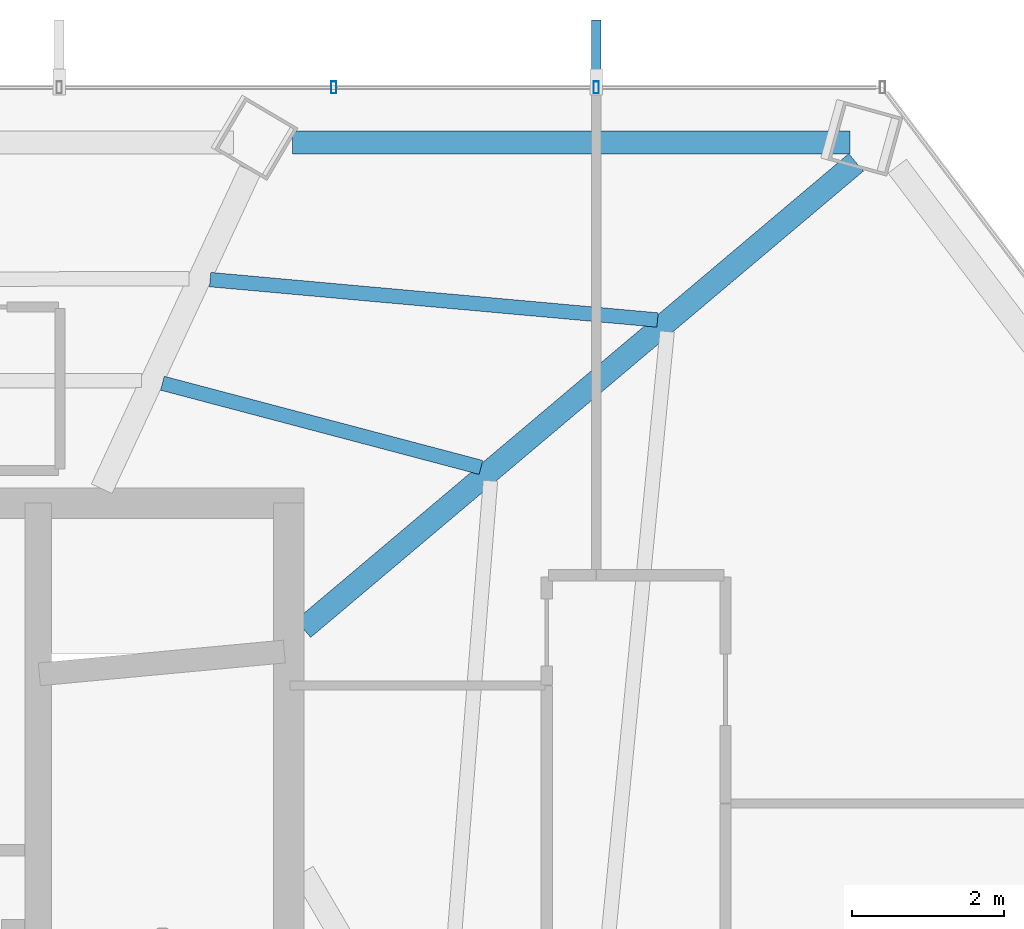
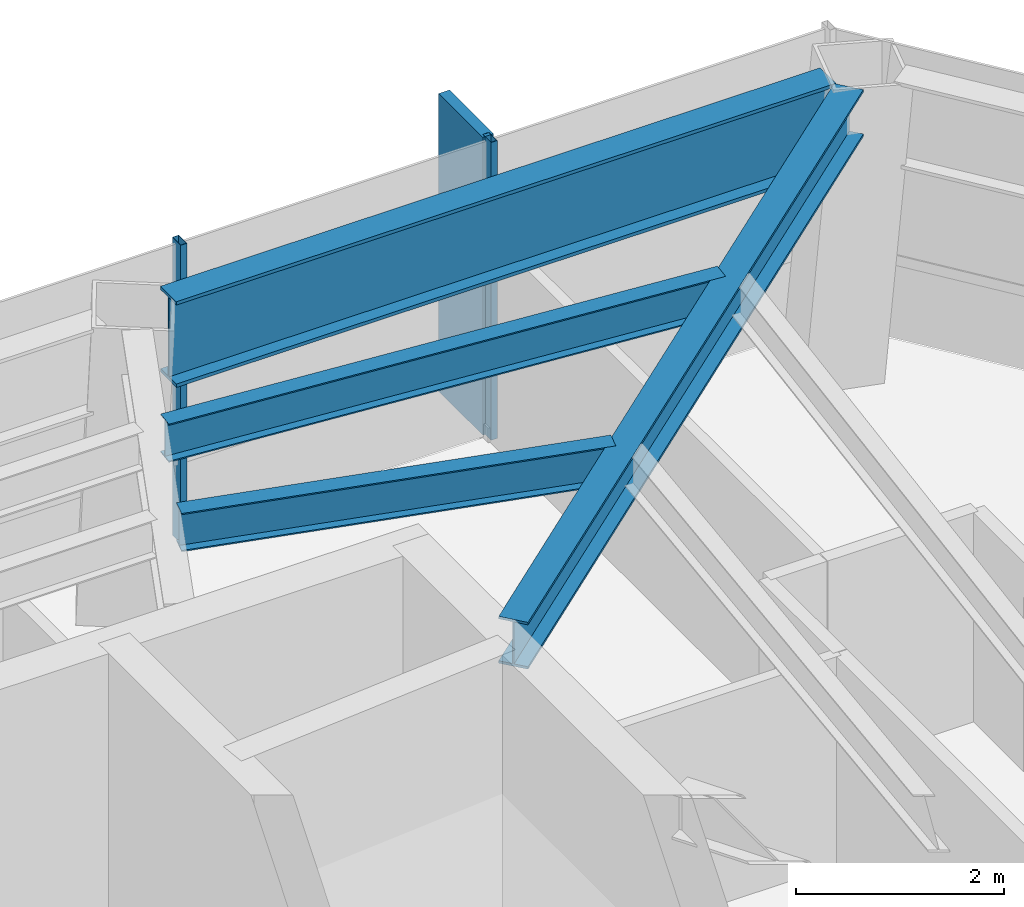
# One storey, part 24 of 30: 4 beams, 3 members, 1 element without a shape of its own.
"""IFC4 building model written with IfcOpenShell, lengths in metres."""

import ifcopenshell
import ifcopenshell.guid

model = None  # the IFC model being written
_history = None  # IfcOwnerHistory: only IFC2X3 demands one
_inside = {}  # id of a spatial element -> (the spatial element, [elements in it])
_under = {}  # id of a project, library or spatial element -> (it, [spatial elements below it])
_declared = {}  # id of a project -> (the project, [libraries it declares])
_typed = {}  # id of a type object -> (the type object, [elements of that type])
_made_of = {}  # id of a material, layer set ... -> (it, [elements and type objects made of it])


def new_model(schema):
    """Start an empty IFC model of exactly this schema.

    Asked for "IFC4X3", IfcOpenShell would pick the latest addendum, in which some entities
    have other attributes; the version numbers below select the first issue.
    IFC2X3 requires an IfcOwnerHistory on every rooted entity: one is made here for all.
    """
    global model, _history
    if schema == "IFC4X3":
        model = ifcopenshell.file(schema_version=(4, 3, 0, 0))
    else:
        model = ifcopenshell.file(schema=schema)
    _inside.clear()
    _under.clear()
    _declared.clear()
    _typed.clear()
    _made_of.clear()
    _history = None
    if model.schema == "IFC2X3":
        org = make("IfcOrganization", Name="unknown")
        user = make(
            "IfcPersonAndOrganization",
            ThePerson=make("IfcPerson", FamilyName="unknown"),
            TheOrganization=org,
        )
        app = make(
            "IfcApplication",
            ApplicationDeveloper=org,
            Version="unknown",
            ApplicationFullName="unknown",
            ApplicationIdentifier="unknown",
        )
        _history = make(
            "IfcOwnerHistory",
            OwningUser=user,
            OwningApplication=app,
            ChangeAction="ADDED",
            CreationDate=0,
        )
    return model


def make(cls, **values):
    """One entity of the class cls with the attributes given. An attribute that is None is left unset."""
    return model.create_entity(
        cls, **{name: value for name, value in values.items() if value is not None}
    )


def rooted(cls, **values):
    """An entity with a GlobalId (a new one), such as an element, a storey or a relation."""
    return make(cls, GlobalId=ifcopenshell.guid.new(), OwnerHistory=_history, **values)


def si_unit(unit_type, name, prefix=None):
    """IfcSIUnit, for example si_unit("LENGTHUNIT", "METRE", prefix="MILLI")."""
    return make("IfcSIUnit", UnitType=unit_type, Prefix=prefix, Name=name)


def assignment(units):
    """IfcUnitAssignment: the units of a project."""
    return None if units is None else make("IfcUnitAssignment", Units=units)


def point(xyz):
    """IfcCartesianPoint."""
    return None if xyz is None else make("IfcCartesianPoint", Coordinates=xyz)


def direction(xyz):
    """IfcDirection."""
    return None if xyz is None else make("IfcDirection", DirectionRatios=xyz)


def frame(location, z_axis=None, x_axis=None):
    """IfcAxis2Placement3D, a coordinate frame: its origin and axes. An axis left out is left unset."""
    return make(
        "IfcAxis2Placement3D",
        Location=point(location),
        Axis=direction(z_axis),
        RefDirection=direction(x_axis),
    )


def frame_2d(location, x_axis=None):
    """IfcAxis2Placement2D, a coordinate frame in the plane: its origin and x axis."""
    return make(
        "IfcAxis2Placement2D", Location=point(location), RefDirection=direction(x_axis)
    )


def origin():
    """The frame at (0, 0, 0) with its axes left unset."""
    return frame((0.0, 0.0, 0.0))


def origin_2d():
    """The frame at (0, 0) in the plane with its x axis left unset."""
    return frame_2d((0.0, 0.0))


def place(relative_to, where):
    """IfcLocalPlacement: puts the frame where relative to a parent placement (None: the world)."""
    return make(
        "IfcLocalPlacement", PlacementRelTo=relative_to, RelativePlacement=where
    )


def context(
    kind, dimensions, precision=None, world=None, true_north=None, identifier=None
):
    """IfcGeometricRepresentationContext, for example the 3D "Model" context."""
    return make(
        "IfcGeometricRepresentationContext",
        ContextIdentifier=identifier,
        ContextType=kind,
        CoordinateSpaceDimension=dimensions,
        Precision=precision,
        WorldCoordinateSystem=world,
        TrueNorth=true_north,
    )


def subcontext(parent, identifier, kind, view, scale=None):
    """IfcGeometricRepresentationSubContext, for example "Body" below "Model"."""
    return make(
        "IfcGeometricRepresentationSubContext",
        ContextIdentifier=identifier,
        ContextType=kind,
        ParentContext=parent,
        TargetScale=scale,
        TargetView=view,
    )


def project(units=None, contexts=None):
    """IfcProject with its units and contexts."""
    return rooted(
        "IfcProject",
        Name="project",
        RepresentationContexts=contexts,
        UnitsInContext=assignment(units),
    )


def spatial(cls, under=None, at=None, **own):
    """A site, building, storey or space (cls), placed at a placement, below another one or the project."""
    s = rooted(cls, ObjectPlacement=at, **own)
    if under is not None:
        _under.setdefault(under.id(), (under, []))[1].append(s)
    return s


def profile(cls, at=None, kind="AREA", **sizes):
    """A parametric profile (cls). Its sizes go by their IFC names, for example OverallWidth=200.0."""
    return make(cls, ProfileType=kind, Position=at, **sizes)


def rectangle(**sizes):
    """IfcRectangleProfileDef."""
    return profile("IfcRectangleProfileDef", **sizes)


def hollow_rectangle(**sizes):
    """IfcRectangleHollowProfileDef."""
    return profile("IfcRectangleHollowProfileDef", **sizes)


def i_section(**sizes):
    """IfcIShapeProfileDef."""
    return profile("IfcIShapeProfileDef", **sizes)


def extrude(swept, where, along, depth):
    """IfcExtrudedAreaSolid: the profile swept, set in the frame where, extruded along a direction by depth."""
    return make(
        "IfcExtrudedAreaSolid",
        SweptArea=swept,
        Position=where,
        ExtrudedDirection=direction(along),
        Depth=depth,
    )


def shape(context_of_items, identifier, shape_type, items):
    """IfcShapeRepresentation: the items that make up one representation, for example the "Body"."""
    return make(
        "IfcShapeRepresentation",
        ContextOfItems=context_of_items,
        RepresentationIdentifier=identifier,
        RepresentationType=shape_type,
        Items=items,
    )


def material(Name=None, Category=None):
    """IfcMaterial."""
    return make("IfcMaterial", Name=Name, Category=Category)


def layer(
    of_material, thickness, ventilated=None, Name=None, Category=None, Priority=None
):
    """IfcMaterialLayer: one layer of a wall or slab, of a material (None: an air gap)."""
    return make(
        "IfcMaterialLayer",
        Material=of_material,
        LayerThickness=thickness,
        IsVentilated=ventilated,
        Name=Name,
        Category=Category,
        Priority=Priority,
    )


def layer_set(layers, Name=None):
    """IfcMaterialLayerSet."""
    return make("IfcMaterialLayerSet", MaterialLayers=layers, LayerSetName=Name)


def material_profile(
    of_material, cross_section, Name=None, Category=None, Priority=None
):
    """IfcMaterialProfile: a cross section and its material."""
    return make(
        "IfcMaterialProfile",
        Name=Name,
        Material=of_material,
        Profile=cross_section,
        Priority=Priority,
        Category=Category,
    )


def profile_set(profiles, Name=None, composite=None):
    """IfcMaterialProfileSet."""
    return make(
        "IfcMaterialProfileSet",
        Name=Name,
        MaterialProfiles=profiles,
        CompositeProfile=composite,
    )


def made_of(thing, what):
    """Note that an element or type object is made of a material, layer set ...; save() writes the relation."""
    if what is not None:
        _made_of.setdefault(what.id(), (what, []))[1].append(thing)
    return thing


def type_object(cls, material=None, **own):
    """A type object (cls), such as IfcWallType, which elements share."""
    return made_of(rooted(cls, **own), material)


def element(
    cls,
    number,
    at=None,
    inside=None,
    cuts=None,
    type_object=None,
    material=None,
    context=None,
    identifier="Body",
    shape_type=None,
    held_by="IfcProductDefinitionShape",
    body=None,
    shapes=None,
    **own,
):
    """One element of the class cls, such as IfcWall. Its Tag is "e" and its number.

    at: its placement. inside: the storey or other place that contains it. cuts: it is an
    opening in that element (IfcRelVoidsElement). A single representation is given by context,
    identifier, shape_type and body (its items); several are given by shapes. held_by: the class
    of the entity that holds the representations. save() writes the other relations.
    """
    e = rooted(cls, Tag="e%d" % number, ObjectPlacement=at, **own)
    if body is not None:
        shapes = [shape(context, identifier, shape_type, body)]
    if shapes is not None:
        e.Representation = make(held_by, Representations=shapes)
    if inside is not None:
        _inside.setdefault(inside.id(), (inside, []))[1].append(e)
    if cuts is not None:
        rooted(
            "IfcRelVoidsElement", RelatingBuildingElement=cuts, RelatedOpeningElement=e
        )
    if type_object is not None:
        _typed.setdefault(type_object.id(), (type_object, []))[1].append(e)
    return made_of(e, material)


def aggregate(whole, parts):
    """IfcRelAggregates: a whole, such as a stair, and the parts it consists of."""
    return rooted("IfcRelAggregates", RelatingObject=whole, RelatedObjects=parts)


def save(model, path):
    """Write the relations noted so far, then the file.

    IfcRelAggregates (storeys below a building ...), IfcRelContainedInSpatialStructure (elements
    in a storey), IfcRelDefinesByType, IfcRelAssociatesMaterial and IfcRelDeclares: one each for
    every whole, place, type object, material and project.
    """
    for whole, parts in _under.values():
        aggregate(whole, parts)
    for where, things in _inside.values():
        rooted(
            "IfcRelContainedInSpatialStructure",
            RelatedElements=things,
            RelatingStructure=where,
        )
    for kind, things in _typed.values():
        rooted("IfcRelDefinesByType", RelatedObjects=things, RelatingType=kind)
    for what, things in _made_of.values():
        rooted("IfcRelAssociatesMaterial", RelatedObjects=things, RelatingMaterial=what)
    for by, libraries in _declared.values():
        rooted("IfcRelDeclares", RelatingContext=by, RelatedDefinitions=libraries)
    model.write(path)


model = new_model("IFC4")

# Units and contexts
model_context = context("Model", 3, precision=1e-05, world=origin(), true_north=direction((0.0, 1.0)))
body_context = subcontext(model_context, "Body", "Model", "MODEL_VIEW")
ifc_project = project(units=[si_unit("LENGTHUNIT", "METRE"), si_unit("AREAUNIT", "SQUARE_METRE"), si_unit("VOLUMEUNIT", "CUBIC_METRE"), si_unit("PLANEANGLEUNIT", "RADIAN"), si_unit("MASSUNIT", "GRAM", prefix="KILO")], contexts=[model_context])

# Site, building, storey
site_placement = place(None, origin())
site = spatial("IfcSite", under=ifc_project, at=site_placement, CompositionType="ELEMENT")
building_placement = place(site_placement, origin())
building = spatial("IfcBuilding", under=site, at=building_placement, Name="Zarrinselat Tower", CompositionType="ELEMENT")
storey_placement = place(building_placement, frame((0.0, 0.0, 160.820068359375)))
storey = spatial("IfcBuildingStorey", under=building, at=storey_placement, Name="L39", CompositionType="ELEMENT", Elevation=160.820068359375)

# Beams
ifc_material_1 = material(Name="Steel S355J2", Category="steel")
ifc_material_profile_1 = material_profile(ifc_material_1, i_section(OverallWidth=0.300048828125, OverallDepth=0.550048828125, WebThickness=0.014892578125, FlangeThickness=0.029052734375, at=origin_2d()), Name="HEB 550")
ifc_profile_set_1 = profile_set([ifc_material_profile_1], Name="Steel S355J2")
beam_type_1 = type_object("IfcBeamType", Name="BM-HEB550", PredefinedType="BEAM", material=ifc_profile_set_1)
beam_1_placement = place(storey_placement, frame((48.449951171875, 41.800048828125, 3.224853515625), z_axis=(0.764361491765, 0.644787957321, 0.0), x_axis=(-0.644787957321, 0.764361491765, 0.0)))
element("IfcBeam", 1, at=beam_1_placement, inside=storey, type_object=beam_type_1, Name="L39 Radial Primary Girder RG01", PredefinedType="BEAM", context=body_context, shape_type="SweptSolid", body=[
    extrude(i_section(OverallWidth=0.300048828125, OverallDepth=0.550048828125, WebThickness=0.014892578125, FlangeThickness=0.029052734375, at=origin_2d()), origin(), (0.0, 0.0, 1.0), 9.50634765625),
])
ifc_material_2 = material(Name="Steel S460M", Category="steel")
ifc_material_profile_2 = material_profile(ifc_material_2, i_section(OverallWidth=0.302001953125, OverallDepth=1.008056640625, WebThickness=0.02099609375, FlangeThickness=0.0400390625, at=origin_2d()), Name="HEM 1000")
ifc_profile_set_2 = profile_set([ifc_material_profile_2], Name="Steel S460M")
beam_type_2 = type_object("IfcBeamType", Name="BM-HEM1000", PredefinedType="BEAM", material=ifc_profile_set_2)
beam_2_placement = place(storey_placement, frame((48.305419921875, 48.18896484375, 2.995849609375), z_axis=(1.0, 0.0, 0.0), x_axis=(0.0, 1.0, 0.0)))
element("IfcBeam", 2, at=beam_2_placement, inside=storey, type_object=beam_type_2, Name="L39 Perimeter Spandrel Girder SP01", PredefinedType="BEAM", context=body_context, shape_type="SweptSolid", body=[
    extrude(i_section(OverallWidth=0.302001953125, OverallDepth=1.008056640625, WebThickness=0.02099609375, FlangeThickness=0.0400390625, at=origin_2d()), origin(), (0.0, 0.0, 1.0), 7.330322265625),
])
ifc_material_3 = material(Name="Steel S355J2", Category="steel")
ifc_material_profile_3 = material_profile(ifc_material_3, i_section(OverallWidth=0.18994140625, OverallDepth=0.449951171875, WebThickness=0.009521484375, FlangeThickness=0.0146484375, at=origin_2d()), Name="IPE 450")
ifc_profile_set_3 = profile_set([ifc_material_profile_3], Name="Steel S355J2")
beam_type_3 = type_object("IfcBeamType", Name="BM-IPE450", PredefinedType="JOIST", material=ifc_profile_set_3)
beam_3_placement = place(storey_placement, frame((47.22509765625, 46.38916015625, 3.27490234375), z_axis=(0.995948931031, -0.089920669365, 0.0), x_axis=(0.089920669365, 0.995948931031, 0.0)))
element("IfcBeam", 3, at=beam_3_placement, inside=storey, type_object=beam_type_3, Name="L39 Composite Floor Joist 6-1", PredefinedType="JOIST", context=body_context, shape_type="SweptSolid", body=[
    extrude(i_section(OverallWidth=0.18994140625, OverallDepth=0.449951171875, WebThickness=0.009521484375, FlangeThickness=0.0146484375, at=origin_2d()), origin(), (0.0, 0.0, 1.0), 5.9052734375),
])
beam_4_placement = place(storey_placement, frame((46.59765625, 45.02685546875, 3.27490234375), z_axis=(0.96679211354, -0.255564099976, 0.0), x_axis=(0.255564099976, 0.96679211354, 0.0)))
element("IfcBeam", 4, at=beam_4_placement, inside=storey, type_object=beam_type_3, Name="L39 Composite Floor Joist 6-2", PredefinedType="JOIST", context=body_context, shape_type="SweptSolid", body=[
    extrude(i_section(OverallWidth=0.18994140625, OverallDepth=0.449951171875, WebThickness=0.009521484375, FlangeThickness=0.0146484375, at=origin_2d()), origin(), (0.0, 0.0, 1.0), 4.331298828125),
])

# Curtain wall, members
ifc_material_4 = material(Name="Extruded Aluminium Alloy EN AW-6063 T6", Category="aluminium")
ifc_layer = layer(ifc_material_4, 0.175048828125)
ifc_layer_set = layer_set([ifc_layer], Name="Extruded Aluminium Alloy EN AW-6063 T6")
curtain_wall_type = type_object("IfcCurtainWallType", Name="CWS-HTL", PredefinedType="NOTDEFINED", material=ifc_layer_set)
curtain_wall_placement = place(storey_placement, origin())
curtain_wall = element("IfcCurtainWall", 5, at=curtain_wall_placement, inside=storey, type_object=curtain_wall_type, Name="L39 Unitised Curtain Wall CW-L39-E03", PredefinedType="NOTDEFINED")
ifc_material_5 = material(Name="Extruded Aluminium Alloy EN AW-6063 T6", Category="aluminium")
ifc_material_profile_4 = material_profile(ifc_material_5, hollow_rectangle(XDim=0.070068359375, YDim=0.159912109375, WallThickness=0.00390625, at=origin_2d()), Name="RHS 160x70x4")
ifc_profile_set_4 = profile_set([ifc_material_profile_4], Name="Extruded Aluminium Alloy EN AW-6063 T6")
member_type_1 = type_object("IfcMemberType", Name="MEM-CW-MUL2", PredefinedType="MULLION", material=ifc_profile_set_4)
member_1_placement = place(storey_placement, frame((48.849609375, 48.916748046875, 0.0), z_axis=(0.0, 0.0, 1.0), x_axis=(1.0, 0.0, 0.0)))
member_1 = element("IfcMember", 6, at=member_1_placement, type_object=member_type_1, Name="CW-L39-E03 Mullion 8", PredefinedType="MULLION", context=body_context, shape_type="SweptSolid", body=[
    extrude(hollow_rectangle(XDim=0.070068359375, YDim=0.159912109375, WallThickness=0.00390625, at=origin_2d()), origin(), (0.0, 0.0, 1.0), 3.5),
])
member_2_placement = place(storey_placement, frame((52.300048828125, 48.916748046875, 0.0), z_axis=(0.0, 0.0, 1.0), x_axis=(1.0, 0.0, 0.0)))
member_2 = element("IfcMember", 7, at=member_2_placement, type_object=member_type_1, Name="CW-L39-E03 Mullion 9", PredefinedType="MULLION", context=body_context, shape_type="SweptSolid", body=[
    extrude(hollow_rectangle(XDim=0.070068359375, YDim=0.159912109375, WallThickness=0.00390625, at=origin_2d()), origin(), (0.0, 0.0, 1.0), 3.5),
])
ifc_material_6 = material(Name="Honed Cream Travertine Stone", Category="masonry")
ifc_material_profile_5 = material_profile(ifc_material_6, rectangle(XDim=0.1201171875, YDim=0.85009765625, at=origin_2d()), Name="FIN 850x120")
ifc_profile_set_5 = profile_set([ifc_material_profile_5], Name="Honed Cream Travertine Stone")
member_type_2 = type_object("IfcMemberType", Name="MEM-STONE-FIN", PredefinedType="USERDEFINED", material=ifc_profile_set_5)
member_3_placement = place(storey_placement, frame((52.300048828125, 49.376708984375, 0.0), z_axis=(0.0, 0.0, 1.0), x_axis=(1.0, 0.0, 0.0)))
member_3 = element("IfcMember", 8, at=member_3_placement, type_object=member_type_2, Name="L39 Stone Shading Fin CW-L39-E03-09", ObjectType="FIN", PredefinedType="USERDEFINED", context=body_context, shape_type="SweptSolid", body=[
    extrude(rectangle(XDim=0.1201171875, YDim=0.85009765625, at=origin_2d()), origin(), (0.0, 0.0, 1.0), 3.5),
])
aggregate(curtain_wall, [member_1, member_2, member_3])

save(model, "model.ifc")
